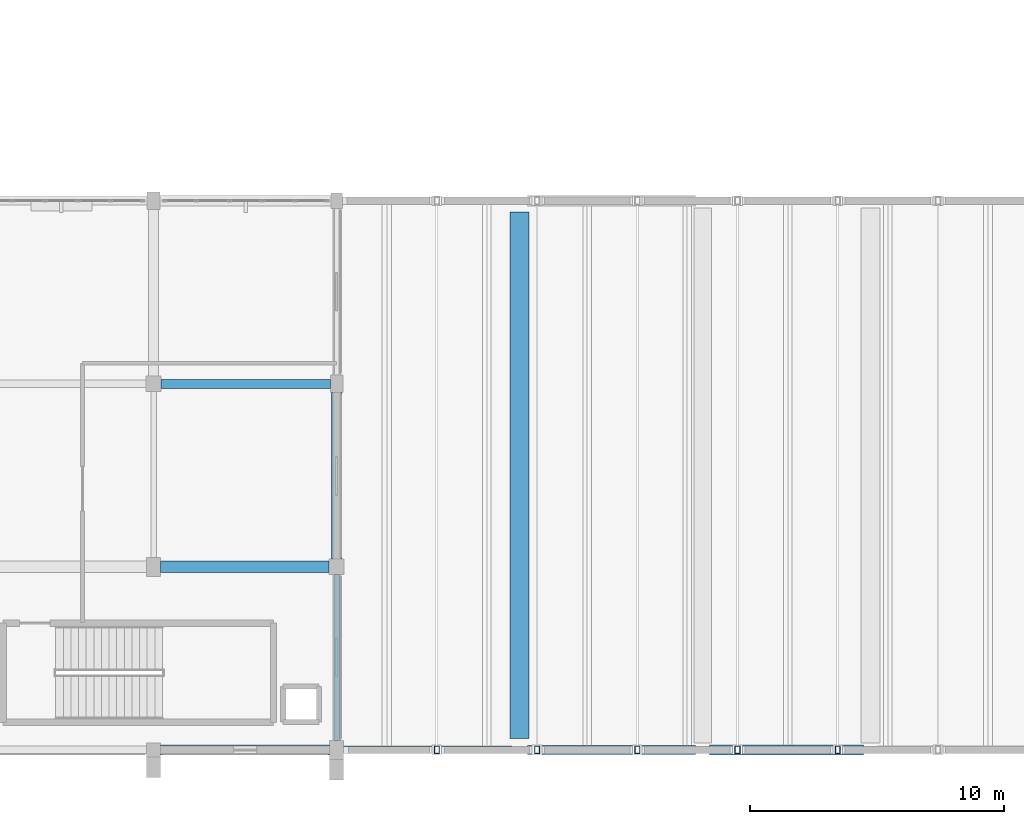
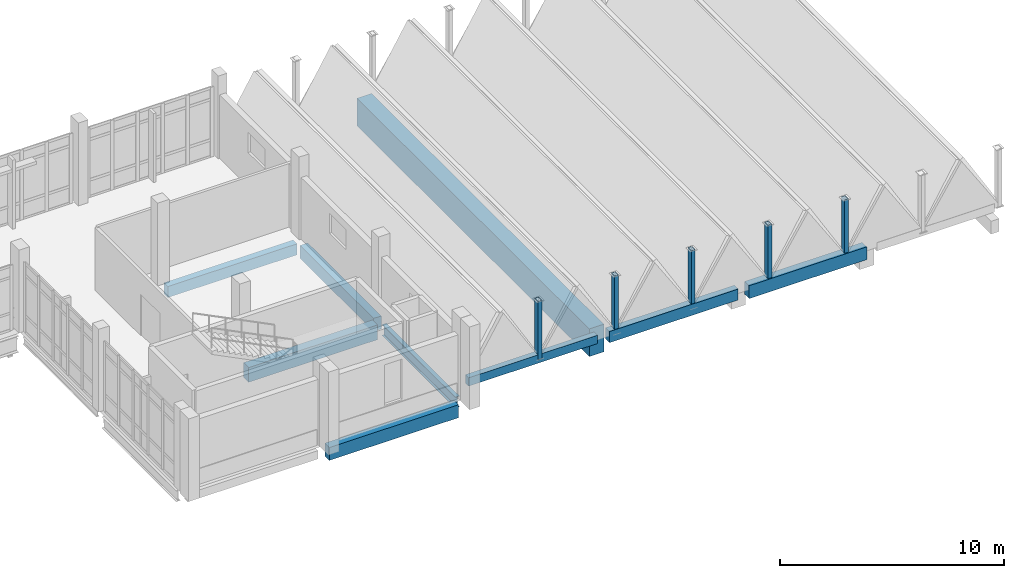
# One storey, part 51 of 124: 9 beams, 5 members.
"""IFC4 building model written with IfcOpenShell, lengths in metres."""

from ifc_helpers import new_model, si_unit, direction, frame, origin, origin_2d, place, context, subcontext, project, spatial, rectangle, hollow_rectangle, i_section, extrude, material, material_profile, profile_set, type_object, element, save


model = new_model("IFC4")

# Units and contexts
model_context = context("Model", 3, precision=1e-05, world=origin(), true_north=direction((0.0, 1.0)))
body_context = subcontext(model_context, "Body", "Model", "MODEL_VIEW")
ifc_project = project(units=[si_unit("LENGTHUNIT", "METRE"), si_unit("AREAUNIT", "SQUARE_METRE"), si_unit("VOLUMEUNIT", "CUBIC_METRE"), si_unit("PLANEANGLEUNIT", "RADIAN"), si_unit("MASSUNIT", "GRAM", prefix="KILO")], contexts=[model_context])

# Site, building, storey
site_placement = place(None, origin())
site = spatial("IfcSite", under=ifc_project, at=site_placement, CompositionType="ELEMENT")
building_placement = place(site_placement, origin())
building = spatial("IfcBuilding", under=site, at=building_placement, Name="Kalluvel Institute of Natural Sciences", CompositionType="ELEMENT")
storey_placement = place(building_placement, frame((0.0, 0.0, 9.89990234375)))
storey = spatial("IfcBuildingStorey", under=building, at=storey_placement, Name="L02", CompositionType="ELEMENT", Elevation=9.89990234375)

# Beams
ifc_material_1 = material(Name="Steel E350 Grade 350", Category="steel")
ifc_material_profile_1 = material_profile(ifc_material_1, i_section(OverallWidth=0.2099609375, OverallDepth=0.60009765625, WebThickness=0.011962890625, FlangeThickness=0.020751953125, FilletRadius=0.02001953125, at=origin_2d()), Name="ISMB 600")
ifc_profile_set_1 = profile_set([ifc_material_profile_1], Name="Steel E350 Grade 350")
beam_type_1 = type_object("IfcBeamType", Name="BM-ISMB600", PredefinedType="BEAM", material=ifc_profile_set_1)
beam_1_placement = place(storey_placement, frame((114.800048828125, 14.375, -0.619873046875), z_axis=(0.0, 1.0, 0.0), x_axis=(-1.0, 0.0, 0.0)))
element("IfcBeam", 1, at=beam_1_placement, inside=storey, type_object=beam_type_1, Name="L02 girder GIR-L02-NS-X1148-Y140", PredefinedType="BEAM", context=body_context, shape_type="SweptSolid", body=[
    extrude(i_section(OverallWidth=0.2099609375, OverallDepth=0.60009765625, WebThickness=0.011962890625, FlangeThickness=0.020751953125, FilletRadius=0.02001953125, at=origin_2d()), origin(), (0.0, 0.0, 1.0), 6.52490234375),
])
ifc_material_2 = material(Name="Concrete M40", Category="concrete")
ifc_material_profile_2 = material_profile(ifc_material_2, rectangle(XDim=0.39990234375, YDim=0.699951171875, at=origin_2d()), Name="RCB 400x700")
ifc_profile_set_2 = profile_set([ifc_material_profile_2], Name="Concrete M40")
beam_type_2 = type_object("IfcBeamType", Name="BM-RC400x700", PredefinedType="BEAM", material=ifc_profile_set_2)
beam_2_placement = place(storey_placement, frame((114.800048828125, 21.5, -0.669921875), z_axis=(0.0, 1.0, 0.0), x_axis=(-1.0, 0.0, 0.0)))
element("IfcBeam", 2, at=beam_2_placement, inside=storey, type_object=beam_type_2, Name="L02 girder GIR-L02-NS-X1148-Y212", PredefinedType="BEAM", context=body_context, shape_type="SweptSolid", body=[
    extrude(rectangle(XDim=0.39990234375, YDim=0.699951171875, at=origin_2d()), origin(), (0.0, 0.0, 1.0), 6.550048828125),
])
ifc_material_profile_3 = material_profile(ifc_material_2, rectangle(XDim=0.449951171875, YDim=0.800048828125, at=origin_2d()), Name="RCB 450x800")
ifc_profile_set_3 = profile_set([ifc_material_profile_3], Name="Concrete M40")
beam_type_3 = type_object("IfcBeamType", Name="BM-RC450x800", PredefinedType="BEAM", material=ifc_profile_set_3)
beam_3_placement = place(storey_placement, frame((107.875, 21.199951171875, -0.719970703125), z_axis=(1.0, 0.0, 0.0), x_axis=(0.0, 1.0, 0.0)))
element("IfcBeam", 3, at=beam_3_placement, inside=storey, type_object=beam_type_3, Name="L02 girder GIR-L02-EW-X1076-Y212", PredefinedType="BEAM", context=body_context, shape_type="SweptSolid", body=[
    extrude(rectangle(XDim=0.449951171875, YDim=0.800048828125, at=origin_2d()), origin(), (0.0, 0.0, 1.0), 6.625),
])
ifc_material_3 = material(Name="Concrete M50", Category="concrete")
ifc_material_profile_4 = material_profile(ifc_material_3, rectangle(XDim=0.75, YDim=1.5, at=origin_2d()), Name="RCB 750x1500")
ifc_profile_set_4 = profile_set([ifc_material_profile_4], Name="Concrete M50")
beam_type_4 = type_object("IfcBeamType", Name="BM-RC750x1500", PredefinedType="BEAM", material=ifc_profile_set_4)
beam_4_placement = place(storey_placement, frame((122.0, 14.449951171875, 0.170166015625), z_axis=(0.0, 1.0, 0.0), x_axis=(-1.0, 0.0, 0.0)))
element("IfcBeam", 4, at=beam_4_placement, inside=storey, type_object=beam_type_4, Name="L02 girder GIR-L02-NS-X1220-Y140", PredefinedType="BEAM", context=body_context, shape_type="SweptSolid", body=[
    extrude(rectangle(XDim=0.75, YDim=1.5, at=origin_2d()), origin(), (0.0, 0.0, 1.0), 20.699951171875),
])

# Members
ifc_material_profile_5 = material_profile(ifc_material_1, hollow_rectangle(XDim=0.199951171875, YDim=0.300048828125, WallThickness=0.011962890625, at=origin_2d()), Name="RHS 300x200x12")
ifc_profile_set_5 = profile_set([ifc_material_profile_5], Name="Steel E350 Grade 350")
member_type = type_object("IfcMemberType", Name="MB-ARCH-RHS300", PredefinedType="CHORD", material=ifc_profile_set_5)
for number, where, z_axis, x_axis, name in (
    (5, (118.742919921875, 14.0, 0.650146484375), (0.0, 0.0, 1.0), (1.0, 0.0, 0.0), "Lecture theatre folded-plate valley mullion post 1"),
    (6, (122.685791015625, 14.0, 0.650146484375), (0.0, 0.0, 1.0), (1.0, 0.0, 0.0), "Lecture theatre folded-plate valley mullion post 2"),
    (7, (126.628662109375, 14.0, 0.650146484375), (0.0, 0.0, 1.0), (1.0, 0.0, 0.0), "Lecture theatre folded-plate valley mullion post 3"),
    (8, (130.5712890625, 14.0, 0.650146484375), (0.0, 0.0, 1.0), (1.0, 0.0, 0.0), "Lecture theatre folded-plate valley mullion post 4"),
    (9, (134.514404296875, 14.0, 0.650146484375), (0.0, 0.0, 1.0), (1.0, 0.0, 0.0), "Lecture theatre folded-plate valley mullion post 5"),
):
    element("IfcMember", number, at=place(storey_placement, frame(where, z_axis=z_axis, x_axis=x_axis)), inside=storey, type_object=member_type, Name=name, PredefinedType="CHORD", context=body_context, shape_type="SweptSolid", body=[
        extrude(hollow_rectangle(XDim=0.199951171875, YDim=0.300048828125, WallThickness=0.011962890625, at=origin_2d()), origin(), (0.0, 0.0, 1.0), 3.169921875),
    ])

# Beams
ifc_material_profile_6 = material_profile(ifc_material_2, rectangle(XDim=0.300048828125, YDim=0.449951171875, at=origin_2d()), Name="RCB 300x450")
ifc_profile_set_6 = profile_set([ifc_material_profile_6], Name="Concrete M40")
beam_type_5 = type_object("IfcBeamType", Name="SP-RC300x450", PredefinedType="SPANDREL", material=ifc_profile_set_6)
beam_5_placement = place(storey_placement, frame((115.074951171875, 14.0, 0.695068359375), z_axis=(1.0, 0.0, 0.0), x_axis=(0.0, 1.0, 0.0)))
element("IfcBeam", 10, at=beam_5_placement, inside=storey, type_object=beam_type_5, Name="L02 girder GIR-L02-EW-X1148-Y140", PredefinedType="SPANDREL", context=body_context, shape_type="SweptSolid", body=[
    extrude(rectangle(XDim=0.300048828125, YDim=0.449951171875, at=origin_2d()), origin(), (0.0, 0.0, 1.0), 6.625),
])
ifc_material_profile_7 = material_profile(ifc_material_2, rectangle(XDim=0.35009765625, YDim=0.60009765625, at=origin_2d()), Name="RCB 350x600")
ifc_profile_set_7 = profile_set([ifc_material_profile_7], Name="Concrete M40")
beam_type_6 = type_object("IfcBeamType", Name="SP-RC350x600", PredefinedType="SPANDREL", material=ifc_profile_set_7)
beam_6_placement = place(storey_placement, frame((122.300048828125, 14.0, 0.6201171875), z_axis=(1.0, 0.0, 0.0), x_axis=(0.0, 1.0, 0.0)))
element("IfcBeam", 11, at=beam_6_placement, inside=storey, type_object=beam_type_6, Name="L02 girder GIR-L02-EW-X1220-Y140", PredefinedType="SPANDREL", context=body_context, shape_type="SweptSolid", body=[
    extrude(rectangle(XDim=0.35009765625, YDim=0.60009765625, at=origin_2d()), origin(), (0.0, 0.0, 1.0), 6.625),
])
beam_7_placement = place(storey_placement, frame((107.89990234375, 28.39990234375, -0.619873046875), z_axis=(1.0, 0.0, 0.0), x_axis=(0.0, 1.0, 0.0)))
element("IfcBeam", 12, at=beam_7_placement, inside=storey, type_object=beam_type_6, Name="L02 girder GIR-L02-EW-X1076-Y284", PredefinedType="SPANDREL", context=body_context, shape_type="SweptSolid", body=[
    extrude(rectangle(XDim=0.35009765625, YDim=0.60009765625, at=origin_2d()), origin(), (0.0, 0.0, 1.0), 6.650146484375),
])
ifc_material_profile_8 = material_profile(ifc_material_2, rectangle(XDim=0.39990234375, YDim=0.699951171875, at=origin_2d()), Name="RCB 400x700")
ifc_profile_set_8 = profile_set([ifc_material_profile_8], Name="Concrete M40")
beam_type_7 = type_object("IfcBeamType", Name="SP-RC400x700", PredefinedType="SPANDREL", material=ifc_profile_set_8)
beam_8_placement = place(storey_placement, frame((107.875, 14.0, -0.669921875), z_axis=(1.0, 0.0, 0.0), x_axis=(0.0, 1.0, 0.0)))
element("IfcBeam", 13, at=beam_8_placement, inside=storey, type_object=beam_type_7, Name="L02 girder GIR-L02-EW-X1076-Y140", PredefinedType="SPANDREL", context=body_context, shape_type="SweptSolid", body=[
    extrude(rectangle(XDim=0.39990234375, YDim=0.699951171875, at=origin_2d()), origin(), (0.0, 0.0, 1.0), 6.64990234375),
])
beam_9_placement = place(storey_placement, frame((129.47509765625, 14.0, 0.570068359375), z_axis=(1.0, 0.0, 0.0), x_axis=(0.0, 1.0, 0.0)))
element("IfcBeam", 14, at=beam_9_placement, inside=storey, type_object=beam_type_7, Name="L02 girder GIR-L02-EW-X1292-Y140", PredefinedType="SPANDREL", context=body_context, shape_type="SweptSolid", body=[
    extrude(rectangle(XDim=0.39990234375, YDim=0.699951171875, at=origin_2d()), origin(), (0.0, 0.0, 1.0), 6.0498046875),
])

save(model, "model.ifc")
